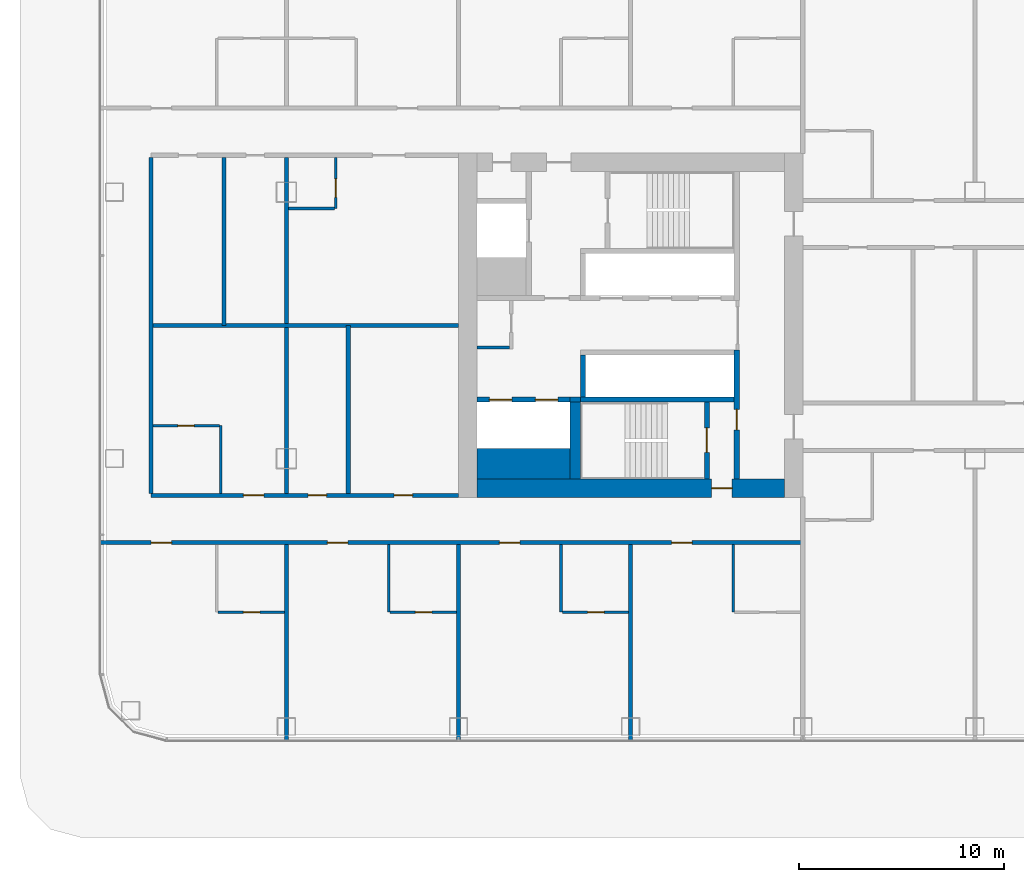
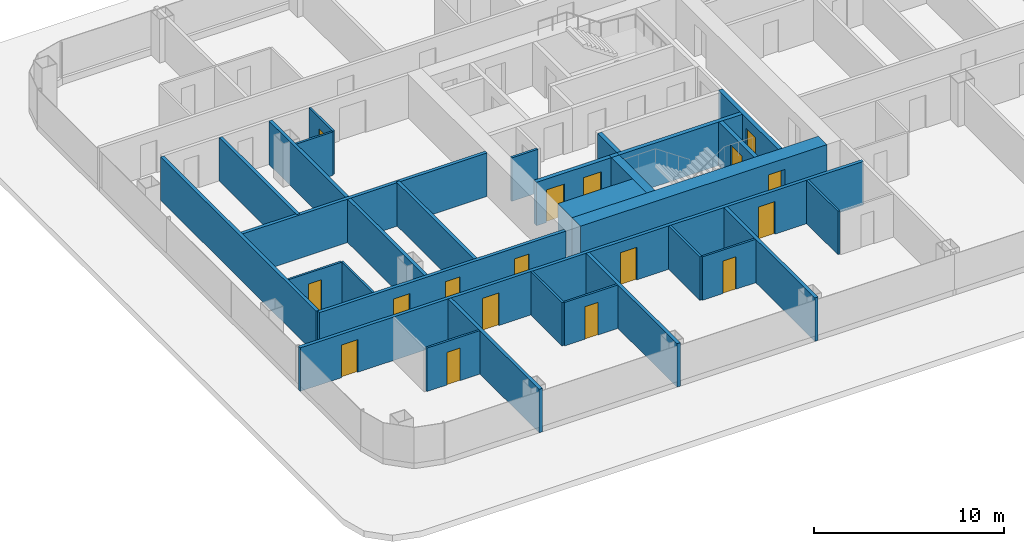
# One storey, part 21 of 42: 30 walls, 17 doors, 17 openings.
"""IFC4 building model written with IfcOpenShell, lengths in metres."""

from ifc_helpers import new_model, si_unit, direction, frame, frame_2d, origin, place, context, subcontext, project, spatial, rectangle, extrude, material, layer, layer_set, type_object, element, fill, save


model = new_model("IFC4")

# Units and contexts
model_context = context("Model", 3, precision=1e-05, world=origin(), true_north=direction((0.0, 1.0)))
body_context = subcontext(model_context, "Body", "Model", "MODEL_VIEW")
ifc_project = project(units=[si_unit("LENGTHUNIT", "METRE"), si_unit("AREAUNIT", "SQUARE_METRE"), si_unit("VOLUMEUNIT", "CUBIC_METRE"), si_unit("PLANEANGLEUNIT", "RADIAN"), si_unit("MASSUNIT", "GRAM", prefix="KILO")], contexts=[model_context])

# Site, building, storey
site_placement = place(None, origin())
site = spatial("IfcSite", under=ifc_project, at=site_placement, CompositionType="ELEMENT")
building_placement = place(site_placement, origin())
building = spatial("IfcBuilding", under=site, at=building_placement, Name="Hakoniwa Tower and Hamabe Station Hall", CompositionType="ELEMENT")
storey_placement = place(building_placement, frame((0.0, 0.0, 19.800048828125)))
storey = spatial("IfcBuildingStorey", under=building, at=storey_placement, Name="L04", CompositionType="ELEMENT", Elevation=19.800048828125)

# Wall, opening, door
ifc_material_1 = material(Name="Gypsum board partition", Category="gypsum")
ifc_layer_1 = layer(ifc_material_1, 0.125)
ifc_layer_set_1 = layer_set([ifc_layer_1], Name="Bathroom Partition 125")
wall_type_1 = type_object("IfcWallType", Name="Bathroom Partition 125", PredefinedType="PARTITIONING", material=ifc_layer_set_1)
wall_1_placement = place(storey_placement, frame((-45.33740234375, -14.0, 0.0), z_axis=(0.0, 0.0, 1.0), x_axis=(1.0, 0.0, 0.0)))
wall_1 = element("IfcWall", 1, at=wall_1_placement, inside=storey, type_object=wall_type_1, Name="GW-L04-001", PredefinedType="PARTITIONING", context=body_context, shape_type="SweptSolid", body=[
    extrude(rectangle(XDim=3.2373046875, YDim=0.125, at=frame_2d((1.61865234375, 0.0))), origin(), (0.0, 0.0, 1.0), 2.800048828125),
])
opening_1_placement = place(wall_1_placement, frame((1.237548828125, 0.0, 0.0)))
opening_1 = element("IfcOpeningElement", 2, at=opening_1_placement, cuts=wall_1, Name="Opening GD-G1A0-01", PredefinedType="OPENING", context=body_context, shape_type="SweptSolid", body=[
    extrude(rectangle(XDim=0.800048828125, YDim=2.10009765625, at=frame_2d((0.39990234375, 1.050048828125))), frame((0.0, 0.072509765625, 0.0), z_axis=(0.0, -1.0, 0.0), x_axis=(1.0, 0.0, 0.0)), (0.0, 0.0, 1.0), 0.14501953125),
])
ifc_material_2 = material(Name="Timber door leaf", Category="wood")
door_type_1 = type_object("IfcDoorType", Name="Bathroom Door 800", OperationType="SINGLE_SWING_LEFT", PredefinedType="DOOR", material=ifc_material_2)
door_1_placement = place(opening_1_placement, origin())
door_1 = element("IfcDoor", 3, at=door_1_placement, inside=storey, type_object=door_type_1, Name="Door GD-G1A0-01", OperationType="SINGLE_SWING_LEFT", OverallHeight=2.10009765625, OverallWidth=0.800048828125, PredefinedType="DOOR", context=body_context, shape_type="SweptSolid", body=[
    extrude(rectangle(XDim=0.800048828125, YDim=2.10009765625, at=frame_2d((0.39990234375, 1.050048828125))), frame((0.0, 0.02490234375, 0.0), z_axis=(0.0, -1.0, 0.0), x_axis=(1.0, 0.0, 0.0)), (0.0, 0.0, 1.0), 0.050048828125),
])
fill(opening_1, door_1)

wall_2_placement = place(storey_placement, frame((-36.9375, -14.0, 0.0), z_axis=(0.0, 0.0, 1.0), x_axis=(1.0, 0.0, 0.0)))
wall_2 = element("IfcWall", 4, at=wall_2_placement, inside=storey, type_object=wall_type_1, Name="GW-L04-002", PredefinedType="PARTITIONING", context=body_context, shape_type="SweptSolid", body=[
    extrude(rectangle(XDim=3.237548828125, YDim=0.125, at=frame_2d((1.61865234375, 0.0))), origin(), (0.0, 0.0, 1.0), 2.800048828125),
])
opening_2_placement = place(wall_2_placement, frame((1.237548828125, 0.0, 0.0)))
opening_2 = element("IfcOpeningElement", 5, at=opening_2_placement, cuts=wall_2, Name="Opening GD-G1A0-02", PredefinedType="OPENING", context=body_context, shape_type="SweptSolid", body=[
    extrude(rectangle(XDim=0.800048828125, YDim=2.10009765625, at=frame_2d((0.39990234375, 1.050048828125))), frame((0.0, 0.072509765625, 0.0), z_axis=(0.0, -1.0, 0.0), x_axis=(1.0, 0.0, 0.0)), (0.0, 0.0, 1.0), 0.14501953125),
])
door_2_placement = place(opening_2_placement, origin())
door_2 = element("IfcDoor", 6, at=door_2_placement, inside=storey, type_object=door_type_1, Name="Door GD-G1A0-02", OperationType="SINGLE_SWING_RIGHT", OverallHeight=2.10009765625, OverallWidth=0.800048828125, PredefinedType="DOOR", context=body_context, shape_type="SweptSolid", body=[
    extrude(rectangle(XDim=0.800048828125, YDim=2.10009765625, at=frame_2d((0.39990234375, 1.050048828125))), frame((0.0, 0.02490234375, 0.0), z_axis=(0.0, -1.0, 0.0), x_axis=(1.0, 0.0, 0.0)), (0.0, 0.0, 1.0), 0.050048828125),
])
fill(opening_2, door_2)

wall_3_placement = place(storey_placement, frame((-28.53759765625, -14.0, 0.0), z_axis=(0.0, 0.0, 1.0), x_axis=(1.0, 0.0, 0.0)))
wall_3 = element("IfcWall", 7, at=wall_3_placement, inside=storey, type_object=wall_type_1, Name="GW-L04-003", PredefinedType="PARTITIONING", context=body_context, shape_type="SweptSolid", body=[
    extrude(rectangle(XDim=3.237548828125, YDim=0.125, at=frame_2d((1.61865234375, 0.0))), origin(), (0.0, 0.0, 1.0), 2.800048828125),
])
opening_3_placement = place(wall_3_placement, frame((1.237548828125, 0.0, 0.0)))
opening_3 = element("IfcOpeningElement", 8, at=opening_3_placement, cuts=wall_3, Name="Opening GD-G1A0-03", PredefinedType="OPENING", context=body_context, shape_type="SweptSolid", body=[
    extrude(rectangle(XDim=0.800048828125, YDim=2.10009765625, at=frame_2d((0.39990234375, 1.050048828125))), frame((0.0, 0.072509765625, 0.0), z_axis=(0.0, -1.0, 0.0), x_axis=(1.0, 0.0, 0.0)), (0.0, 0.0, 1.0), 0.14501953125),
])
door_3_placement = place(opening_3_placement, origin())
door_3 = element("IfcDoor", 9, at=door_3_placement, inside=storey, type_object=door_type_1, Name="Door GD-G1A0-03", OperationType="SINGLE_SWING_LEFT", OverallHeight=2.10009765625, OverallWidth=0.800048828125, PredefinedType="DOOR", context=body_context, shape_type="SweptSolid", body=[
    extrude(rectangle(XDim=0.800048828125, YDim=2.10009765625, at=frame_2d((0.39990234375, 1.050048828125))), frame((0.0, 0.02490234375, 0.0), z_axis=(0.0, -1.0, 0.0), x_axis=(1.0, 0.0, 0.0)), (0.0, 0.0, 1.0), 0.050048828125),
])
fill(opening_3, door_3)

wall_4_placement = place(storey_placement, frame((-48.5, -4.89990234375, 0.0), z_axis=(0.0, 0.0, 1.0), x_axis=(1.0, 0.0, 0.0)))
wall_4 = element("IfcWall", 10, at=wall_4_placement, inside=storey, type_object=wall_type_1, Name="GW-L04-016", PredefinedType="PARTITIONING", context=body_context, shape_type="SweptSolid", body=[
    extrude(rectangle(XDim=3.237548828125, YDim=0.125, at=frame_2d((1.61865234375, 0.0))), origin(), (0.0, 0.0, 1.0), 2.800048828125),
])
opening_4_placement = place(wall_4_placement, frame((1.199951171875, 0.0, 0.0)))
opening_4 = element("IfcOpeningElement", 11, at=opening_4_placement, cuts=wall_4, Name="Opening GD-G1A0-30", PredefinedType="OPENING", context=body_context, shape_type="SweptSolid", body=[
    extrude(rectangle(XDim=0.800048828125, YDim=2.10009765625, at=frame_2d((0.39990234375, 1.050048828125))), frame((0.0, 0.072509765625, 0.0), z_axis=(0.0, -1.0, 0.0), x_axis=(1.0, 0.0, 0.0)), (0.0, 0.0, 1.0), 0.14501953125),
])
door_4_placement = place(opening_4_placement, origin())
door_4 = element("IfcDoor", 12, at=door_4_placement, inside=storey, type_object=door_type_1, Name="Door GD-G1A0-30", OperationType="SINGLE_SWING_RIGHT", OverallHeight=2.10009765625, OverallWidth=0.800048828125, PredefinedType="DOOR", context=body_context, shape_type="SweptSolid", body=[
    extrude(rectangle(XDim=0.800048828125, YDim=2.10009765625, at=frame_2d((0.39990234375, 1.050048828125))), frame((0.0, 0.02490234375, 0.0), z_axis=(0.0, -1.0, 0.0), x_axis=(1.0, 0.0, 0.0)), (0.0, 0.0, 1.0), 0.050048828125),
])
fill(opening_4, door_4)

# Walls
for number, where, z_axis, x_axis, name in (
    (13, (-45.199951171875, -8.199951171875, 0.0), (0.0, 0.0, 1.0), (0.0, 1.0, 0.0), "GW-L04-039"),
    (14, (-37.0, -14.0, 0.0), (0.0, 0.0, 1.0), (0.0, 1.0, 0.0), "GW-L04-047"),
    (15, (-28.60009765625, -14.0, 0.0), (0.0, 0.0, 1.0), (0.0, 1.0, 0.0), "GW-L04-050"),
    (16, (-20.199951171875, -14.0, 0.0), (0.0, 0.0, 1.0), (0.0, 1.0, 0.0), "GW-L04-054"),
):
    element("IfcWall", number, at=place(storey_placement, frame(where, z_axis=z_axis, x_axis=x_axis)), inside=storey, type_object=wall_type_1, Name=name, PredefinedType="PARTITIONING", context=body_context, shape_type="SweptSolid", body=[
        extrude(rectangle(XDim=3.300048828125, YDim=0.125, at=frame_2d((1.64990234375, 0.0))), origin(), (0.0, 0.0, 1.0), 2.800048828125),
    ])
ifc_material_3 = material(Name="Gypsum board partition")
ifc_layer_2 = layer(ifc_material_3, 0.14990234375)
ifc_layer_set_2 = layer_set([ifc_layer_2], Name="CORE PARTITION 150 EI 60")
wall_type_2 = type_object("IfcWallType", Name="CORE PARTITION 150 EI 60", PredefinedType="PARTITIONING", material=ifc_layer_set_2)
wall_5_placement = place(storey_placement, frame((-32.699951171875, -1.074951171875, 0.0), z_axis=(0.0, 0.0, 1.0), x_axis=(1.0, 0.0, 0.0)))
element("IfcWall", 17, at=wall_5_placement, inside=storey, type_object=wall_type_2, Name="Core partition PS west", PredefinedType="PARTITIONING", context=body_context, shape_type="SweptSolid", body=[
    extrude(rectangle(XDim=1.599853515625, YDim=0.14990234375, at=frame_2d((0.7998046875, 0.0))), origin(), (0.0, 0.0, 1.0), 2.800048828125),
])

# Wall, opening, door
ifc_material_4 = material(Name="Concrete C80", Category="concrete")
ifc_layer_3 = layer(ifc_material_4, 0.89990234375)
ifc_layer_set_3 = layer_set([ifc_layer_3], Name="CORE WALL 900 C80")
wall_type_3 = type_object("IfcWallType", Name="CORE WALL 900 C80", PredefinedType="SHEAR", material=ifc_layer_set_3)
wall_6_placement = place(storey_placement, frame((-32.699951171875, -7.949951171875, 0.0), z_axis=(0.0, 0.0, 1.0), x_axis=(1.0, 0.0, 0.0)))
wall_6 = element("IfcWall", 18, at=wall_6_placement, inside=storey, type_object=wall_type_3, Name="Core wall SOUTH west", PredefinedType="SHEAR", context=body_context, shape_type="SweptSolid", body=[
    extrude(rectangle(XDim=15.0, YDim=0.89990234375, at=frame_2d((7.5, 0.0))), origin(), (0.0, 0.0, 1.0), 2.800048828125),
])
opening_5_placement = place(wall_6_placement, frame((11.449951171875, 0.0, 0.0)))
opening_5 = element("IfcOpeningElement", 19, at=opening_5_placement, cuts=wall_6, Name="Opening CD-W-FS3-10", PredefinedType="OPENING", context=body_context, shape_type="SweptSolid", body=[
    extrude(rectangle(XDim=1.0, YDim=2.10009765625, at=frame_2d((0.5, 1.050048828125))), frame((0.0, 0.4599609375, 0.0), z_axis=(0.0, -1.0, 0.0), x_axis=(1.0, 0.0, 0.0)), (0.0, 0.0, 1.0), 0.919921875),
])
ifc_material_5 = material(Name="Steel fire door", Category="steel")
door_type_2 = type_object("IfcDoorType", Name="CORE DOOR 1000 FD60", OperationType="NOTDEFINED", PredefinedType="DOOR", material=ifc_material_5)
door_5_placement = place(opening_5_placement, origin())
door_5 = element("IfcDoor", 20, at=door_5_placement, inside=storey, type_object=door_type_2, Name="Stair vestibule door", OperationType="SINGLE_SWING_LEFT", OverallHeight=2.10009765625, OverallWidth=1.0, PredefinedType="DOOR", context=body_context, shape_type="SweptSolid", body=[
    extrude(rectangle(XDim=1.0, YDim=2.10009765625, at=frame_2d((0.5, 1.050048828125))), frame((0.0, 0.02490234375, 0.0), z_axis=(0.0, -1.0, 0.0), x_axis=(1.0, 0.0, 0.0)), (0.0, 0.0, 1.0), 0.050048828125),
])
fill(opening_5, door_5)

# Wall
ifc_material_6 = material(Name="Concrete C80", Category="concrete")
ifc_layer_4 = layer(ifc_material_6, 1.5)
ifc_layer_set_4 = layer_set([ifc_layer_4], Name="CORE WEB WALL 1500 C80")
wall_type_4 = type_object("IfcWallType", Name="CORE WEB WALL 1500 C80", PredefinedType="SHEAR", material=ifc_layer_set_4)
wall_7_placement = place(storey_placement, frame((-32.699951171875, -6.75, 0.0), z_axis=(0.0, 0.0, 1.0), x_axis=(1.0, 0.0, 0.0)))
element("IfcWall", 21, at=wall_7_placement, inside=storey, type_object=wall_type_4, Name="Core wall SER west", PredefinedType="SHEAR", context=body_context, shape_type="SweptSolid", body=[
    extrude(rectangle(XDim=4.550048828125, YDim=1.5, at=frame_2d((2.27490234375, 0.0))), origin(), (0.0, 0.0, 1.0), 2.800048828125),
])

# Wall, opening, door
ifc_material_7 = material(Name="Concrete C80", Category="concrete")
ifc_layer_5 = layer(ifc_material_7, 0.25)
ifc_layer_set_5 = layer_set([ifc_layer_5], Name="CORE WEB WALL 250 C80")
wall_type_5 = type_object("IfcWallType", Name="CORE WEB WALL 250 C80", PredefinedType="SHEAR", material=ifc_layer_set_5)
wall_8_placement = place(storey_placement, frame((-20.02490234375, -7.5, 0.0), z_axis=(0.0, 0.0, 1.0), x_axis=(0.0, 1.0, 0.0)))
wall_8 = element("IfcWall", 22, at=wall_8_placement, inside=storey, type_object=wall_type_5, Name="Core wall W1S west", PredefinedType="SHEAR", context=body_context, shape_type="SweptSolid", body=[
    extrude(rectangle(XDim=6.300048828125, YDim=0.25, at=frame_2d((3.14990234375, 0.0))), origin(), (0.0, 0.0, 1.0), 2.800048828125),
])
opening_6_placement = place(wall_8_placement, frame((2.39990234375, 0.0, 0.0)))
opening_6 = element("IfcOpeningElement", 23, at=opening_6_placement, cuts=wall_8, Name="Opening CD-W-VS-10", PredefinedType="OPENING", context=body_context, shape_type="SweptSolid", body=[
    extrude(rectangle(XDim=1.0, YDim=2.10009765625, at=frame_2d((0.5, 1.050048828125))), frame((0.0, 0.135009765625, 0.0), z_axis=(0.0, -1.0, 0.0), x_axis=(1.0, 0.0, 0.0)), (0.0, 0.0, 1.0), 0.27001953125),
])
door_6_placement = place(opening_6_placement, origin())
door_6 = element("IfcDoor", 24, at=door_6_placement, inside=storey, type_object=door_type_2, Name="Stair vestibule door", OperationType="SINGLE_SWING_LEFT", OverallHeight=2.10009765625, OverallWidth=1.0, PredefinedType="DOOR", context=body_context, shape_type="SweptSolid", body=[
    extrude(rectangle(XDim=1.0, YDim=2.10009765625, at=frame_2d((0.5, 1.050048828125))), frame((0.0, 0.02490234375, 0.0), z_axis=(0.0, -1.0, 0.0), x_axis=(1.0, 0.0, 0.0)), (0.0, 0.0, 1.0), 0.050048828125),
])
fill(opening_6, door_6)

# Walls
wall_9_placement = place(storey_placement, frame((-27.52490234375, -3.5, 0.0), z_axis=(0.0, 0.0, 1.0), x_axis=(0.0, 1.0, 0.0)))
element("IfcWall", 25, at=wall_9_placement, inside=storey, type_object=wall_type_5, Name="Core wall SE west", PredefinedType="SHEAR", context=body_context, shape_type="SweptSolid", body=[
    extrude(rectangle(XDim=2.050048828125, YDim=0.25, at=frame_2d((1.02490234375, 0.0))), origin(), (0.0, 0.0, 1.0), 2.800048828125),
])
wall_10_placement = place(storey_placement, frame((-27.64990234375, -3.625, 0.0), z_axis=(0.0, 0.0, 1.0), x_axis=(1.0, 0.0, 0.0)))
element("IfcWall", 26, at=wall_10_placement, inside=storey, type_object=wall_type_5, Name="Core wall SR west", PredefinedType="SHEAR", context=body_context, shape_type="SweptSolid", body=[
    extrude(rectangle(XDim=7.5, YDim=0.25, at=frame_2d((3.75, 0.0))), origin(), (0.0, 0.0, 1.0), 2.800048828125),
])

# Wall, opening, door
wall_11_placement = place(storey_placement, frame((-21.47509765625, -7.5, 0.0), z_axis=(0.0, 0.0, 1.0), x_axis=(0.0, 1.0, 0.0)))
wall_11 = element("IfcWall", 27, at=wall_11_placement, inside=storey, type_object=wall_type_5, Name="Core wall VE west", PredefinedType="SHEAR", context=body_context, shape_type="SweptSolid", body=[
    extrude(rectangle(XDim=3.75, YDim=0.25, at=frame_2d((1.875, 0.0))), origin(), (0.0, 0.0, 1.0), 2.800048828125),
])
opening_7_placement = place(wall_11_placement, frame((1.300048828125, 0.0, 0.0)))
opening_7 = element("IfcOpeningElement", 28, at=opening_7_placement, cuts=wall_11, Name="Opening CD-W-SS-12", PredefinedType="OPENING", context=body_context, shape_type="SweptSolid", body=[
    extrude(rectangle(XDim=1.199951171875, YDim=2.10009765625, at=frame_2d((0.60009765625, 1.050048828125))), frame((0.0, 0.135009765625, 0.0), z_axis=(0.0, -1.0, 0.0), x_axis=(1.0, 0.0, 0.0)), (0.0, 0.0, 1.0), 0.27001953125),
])
ifc_material_8 = material(Name="Steel fire door", Category="steel")
door_type_3 = type_object("IfcDoorType", Name="CORE DOOR 1200 FD60", OperationType="DOUBLE_DOOR_SINGLE_SWING", PredefinedType="DOOR", material=ifc_material_8)
door_7_placement = place(opening_7_placement, origin())
door_7 = element("IfcDoor", 29, at=door_7_placement, inside=storey, type_object=door_type_3, Name="Escape stair door", OperationType="DOUBLE_DOOR_SINGLE_SWING", OverallHeight=2.10009765625, OverallWidth=1.199951171875, PredefinedType="DOOR", context=body_context, shape_type="SweptSolid", body=[
    extrude(rectangle(XDim=1.199951171875, YDim=2.10009765625, at=frame_2d((0.60009765625, 1.050048828125))), frame((0.0, 0.02490234375, 0.0), z_axis=(0.0, -1.0, 0.0), x_axis=(1.0, 0.0, 0.0)), (0.0, 0.0, 1.0), 0.050048828125),
])
fill(opening_7, door_7)

# Wall, openings, doors
wall_12_placement = place(storey_placement, frame((-32.699951171875, -3.625, 0.0), z_axis=(0.0, 0.0, 1.0), x_axis=(1.0, 0.0, 0.0)))
wall_12 = element("IfcWall", 30, at=wall_12_placement, inside=storey, type_object=wall_type_5, Name="Core wall SEF west", PredefinedType="SHEAR", context=body_context, shape_type="SweptSolid", body=[
    extrude(rectangle(XDim=4.550048828125, YDim=0.25, at=frame_2d((2.27490234375, 0.0))), origin(), (0.0, 0.0, 1.0), 2.800048828125),
])
opening_8_placement = place(wall_12_placement, frame((2.85009765625, 0.0, 0.0)))
opening_8 = element("IfcOpeningElement", 31, at=opening_8_placement, cuts=wall_12, Name="Opening LD-SV1", PredefinedType="OPENING", context=body_context, shape_type="SweptSolid", body=[
    extrude(rectangle(XDim=1.10009765625, YDim=2.10009765625, at=frame_2d((0.550048828125, 1.050048828125))), frame((0.0, 0.135009765625, 0.0), z_axis=(0.0, -1.0, 0.0), x_axis=(1.0, 0.0, 0.0)), (0.0, 0.0, 1.0), 0.27001953125),
])
opening_9_placement = place(wall_12_placement, frame((0.60009765625, 0.0, 0.0)))
opening_9 = element("IfcOpeningElement", 32, at=opening_9_placement, cuts=wall_12, Name="Opening LD-SV2", PredefinedType="OPENING", context=body_context, shape_type="SweptSolid", body=[
    extrude(rectangle(XDim=1.10009765625, YDim=2.10009765625, at=frame_2d((0.550048828125, 1.050048828125))), frame((0.0, 0.135009765625, 0.0), z_axis=(0.0, -1.0, 0.0), x_axis=(1.0, 0.0, 0.0)), (0.0, 0.0, 1.0), 0.27001953125),
])
ifc_material_9 = material(Name="Stainless steel SUS304", Category="steel")
door_type_4 = type_object("IfcDoorType", Name="LIFT LANDING DOOR 1100 FD60", OperationType="DOUBLE_DOOR_SLIDING", PredefinedType="DOOR", material=ifc_material_9)
door_8_placement = place(opening_8_placement, origin())
door_8 = element("IfcDoor", 33, at=door_8_placement, inside=storey, type_object=door_type_4, Name="Lift landing door SV1 L04", OperationType="DOUBLE_DOOR_SLIDING", OverallHeight=2.10009765625, OverallWidth=1.10009765625, PredefinedType="DOOR", context=body_context, shape_type="SweptSolid", body=[
    extrude(rectangle(XDim=1.10009765625, YDim=2.10009765625, at=frame_2d((0.550048828125, 1.050048828125))), frame((0.0, 0.02490234375, 0.0), z_axis=(0.0, -1.0, 0.0), x_axis=(1.0, 0.0, 0.0)), (0.0, 0.0, 1.0), 0.050048828125),
])
fill(opening_8, door_8)
door_9_placement = place(opening_9_placement, origin())
door_9 = element("IfcDoor", 34, at=door_9_placement, inside=storey, type_object=door_type_4, Name="Lift landing door SV2 L04", OperationType="DOUBLE_DOOR_SLIDING", OverallHeight=2.10009765625, OverallWidth=1.10009765625, PredefinedType="DOOR", context=body_context, shape_type="SweptSolid", body=[
    extrude(rectangle(XDim=1.10009765625, YDim=2.10009765625, at=frame_2d((0.550048828125, 1.050048828125))), frame((0.0, 0.02490234375, 0.0), z_axis=(0.0, -1.0, 0.0), x_axis=(1.0, 0.0, 0.0)), (0.0, 0.0, 1.0), 0.050048828125),
])
fill(opening_9, door_9)

# Walls
wall_13_placement = place(storey_placement, frame((-28.14990234375, -3.625, 0.0), z_axis=(0.0, 0.0, 1.0), x_axis=(1.0, 0.0, 0.0)))
element("IfcWall", 35, at=wall_13_placement, inside=storey, type_object=wall_type_5, Name="Core wall SRK west", PredefinedType="SHEAR", context=body_context, shape_type="SweptSolid", body=[
    extrude(rectangle(XDim=0.5, YDim=0.25, at=frame_2d((0.25, 0.0))), origin(), (0.0, 0.0, 1.0), 2.800048828125),
])
ifc_material_10 = material(Name="Concrete C80", Category="concrete")
ifc_layer_6 = layer(ifc_material_10, 0.5)
ifc_layer_set_6 = layer_set([ifc_layer_6], Name="CORE WEB WALL 500 C80")
wall_type_6 = type_object("IfcWallType", Name="CORE WEB WALL 500 C80", PredefinedType="SHEAR", material=ifc_layer_set_6)
wall_14_placement = place(storey_placement, frame((-27.89990234375, -7.5, 0.0), z_axis=(0.0, 0.0, 1.0), x_axis=(0.0, 1.0, 0.0)))
element("IfcWall", 36, at=wall_14_placement, inside=storey, type_object=wall_type_6, Name="Core wall SSE west", PredefinedType="SHEAR", context=body_context, shape_type="SweptSolid", body=[
    extrude(rectangle(XDim=3.75, YDim=0.5, at=frame_2d((1.875, 0.0))), origin(), (0.0, 0.0, 1.0), 2.800048828125),
])

# Wall, openings, doors
ifc_material_11 = material(Name="Fire-rated gypsum board partition", Category="gypsum")
ifc_layer_7 = layer(ifc_material_11, 0.199951171875)
ifc_layer_set_7 = layer_set([ifc_layer_7], Name="Corridor Wall 200")
wall_type_7 = type_object("IfcWallType", Name="Corridor Wall 200", PredefinedType="PARTITIONING", material=ifc_layer_set_7)
wall_15_placement = place(storey_placement, frame((-51.10009765625, -10.60009765625, 0.0), z_axis=(0.0, 0.0, 1.0), x_axis=(1.0, 0.0, 0.0)))
wall_15 = element("IfcWall", 37, at=wall_15_placement, inside=storey, type_object=wall_type_7, Name="GW-L04-008", PredefinedType="PARTITIONING", context=body_context, shape_type="SweptSolid", body=[
    extrude(rectangle(XDim=34.300048828125, YDim=0.199951171875, at=frame_2d((17.14990234375, 0.0))), origin(), (0.0, 0.0, 1.0), 2.800048828125),
])
opening_10_placement = place(wall_15_placement, frame((2.5, 0.0, 0.0)))
opening_10 = element("IfcOpeningElement", 38, at=opening_10_placement, cuts=wall_15, Name="Opening GD-G1A0-09", PredefinedType="OPENING", context=body_context, shape_type="SweptSolid", body=[
    extrude(rectangle(XDim=1.0, YDim=2.10009765625, at=frame_2d((0.5, 1.050048828125))), frame((0.0, 0.10986328125, 0.0), z_axis=(0.0, -1.0, 0.0), x_axis=(1.0, 0.0, 0.0)), (0.0, 0.0, 1.0), 0.219970703125),
])
opening_11_placement = place(wall_15_placement, frame((11.10009765625, 0.0, 0.0)))
opening_11 = element("IfcOpeningElement", 39, at=opening_11_placement, cuts=wall_15, Name="Opening GD-G1A0-10", PredefinedType="OPENING", context=body_context, shape_type="SweptSolid", body=[
    extrude(rectangle(XDim=1.0, YDim=2.10009765625, at=frame_2d((0.5, 1.050048828125))), frame((0.0, 0.10986328125, 0.0), z_axis=(0.0, -1.0, 0.0), x_axis=(1.0, 0.0, 0.0)), (0.0, 0.0, 1.0), 0.219970703125),
])
opening_12_placement = place(wall_15_placement, frame((19.5, 0.0, 0.0)))
opening_12 = element("IfcOpeningElement", 40, at=opening_12_placement, cuts=wall_15, Name="Opening GD-G1A0-11", PredefinedType="OPENING", context=body_context, shape_type="SweptSolid", body=[
    extrude(rectangle(XDim=1.0, YDim=2.10009765625, at=frame_2d((0.5, 1.050048828125))), frame((0.0, 0.10986328125, 0.0), z_axis=(0.0, -1.0, 0.0), x_axis=(1.0, 0.0, 0.0)), (0.0, 0.0, 1.0), 0.219970703125),
])
opening_13_placement = place(wall_15_placement, frame((27.89990234375, 0.0, 0.0)))
opening_13 = element("IfcOpeningElement", 41, at=opening_13_placement, cuts=wall_15, Name="Opening GD-G1A0-12", PredefinedType="OPENING", context=body_context, shape_type="SweptSolid", body=[
    extrude(rectangle(XDim=1.0, YDim=2.10009765625, at=frame_2d((0.5, 1.050048828125))), frame((0.0, 0.10986328125, 0.0), z_axis=(0.0, -1.0, 0.0), x_axis=(1.0, 0.0, 0.0)), (0.0, 0.0, 1.0), 0.219970703125),
])
ifc_material_12 = material(Name="Timber door leaf", Category="wood")
door_type_5 = type_object("IfcDoorType", Name="Guest Entrance Door 1000", OperationType="SINGLE_SWING_LEFT", PredefinedType="DOOR", material=ifc_material_12)
door_10_placement = place(opening_10_placement, origin())
door_10 = element("IfcDoor", 42, at=door_10_placement, inside=storey, type_object=door_type_5, Name="Door GD-G1A0-09", OperationType="SINGLE_SWING_RIGHT", OverallHeight=2.10009765625, OverallWidth=1.0, PredefinedType="DOOR", context=body_context, shape_type="SweptSolid", body=[
    extrude(rectangle(XDim=1.0, YDim=2.10009765625, at=frame_2d((0.5, 1.050048828125))), frame((0.0, 0.02490234375, 0.0), z_axis=(0.0, -1.0, 0.0), x_axis=(1.0, 0.0, 0.0)), (0.0, 0.0, 1.0), 0.050048828125),
])
fill(opening_10, door_10)
door_11_placement = place(opening_11_placement, origin())
door_11 = element("IfcDoor", 43, at=door_11_placement, inside=storey, type_object=door_type_5, Name="Door GD-G1A0-10", OperationType="SINGLE_SWING_RIGHT", OverallHeight=2.10009765625, OverallWidth=1.0, PredefinedType="DOOR", context=body_context, shape_type="SweptSolid", body=[
    extrude(rectangle(XDim=1.0, YDim=2.10009765625, at=frame_2d((0.5, 1.050048828125))), frame((0.0, 0.02490234375, 0.0), z_axis=(0.0, -1.0, 0.0), x_axis=(1.0, 0.0, 0.0)), (0.0, 0.0, 1.0), 0.050048828125),
])
fill(opening_11, door_11)
door_12_placement = place(opening_12_placement, origin())
door_12 = element("IfcDoor", 44, at=door_12_placement, inside=storey, type_object=door_type_5, Name="Door GD-G1A0-11", OperationType="SINGLE_SWING_LEFT", OverallHeight=2.10009765625, OverallWidth=1.0, PredefinedType="DOOR", context=body_context, shape_type="SweptSolid", body=[
    extrude(rectangle(XDim=1.0, YDim=2.10009765625, at=frame_2d((0.5, 1.050048828125))), frame((0.0, 0.02490234375, 0.0), z_axis=(0.0, -1.0, 0.0), x_axis=(1.0, 0.0, 0.0)), (0.0, 0.0, 1.0), 0.050048828125),
])
fill(opening_12, door_12)
door_13_placement = place(opening_13_placement, origin())
door_13 = element("IfcDoor", 45, at=door_13_placement, inside=storey, type_object=door_type_5, Name="Door GD-G1A0-12", OperationType="SINGLE_SWING_RIGHT", OverallHeight=2.10009765625, OverallWidth=1.0, PredefinedType="DOOR", context=body_context, shape_type="SweptSolid", body=[
    extrude(rectangle(XDim=1.0, YDim=2.10009765625, at=frame_2d((0.5, 1.050048828125))), frame((0.0, 0.02490234375, 0.0), z_axis=(0.0, -1.0, 0.0), x_axis=(1.0, 0.0, 0.0)), (0.0, 0.0, 1.0), 0.050048828125),
])
fill(opening_13, door_13)

wall_16_placement = place(storey_placement, frame((-48.60009765625, -8.300048828125, 0.0), z_axis=(0.0, 0.0, 1.0), x_axis=(1.0, 0.0, 0.0)))
wall_16 = element("IfcWall", 46, at=wall_16_placement, inside=storey, type_object=wall_type_7, Name="GW-L04-012", PredefinedType="PARTITIONING", context=body_context, shape_type="SweptSolid", body=[
    extrude(rectangle(XDim=15.0, YDim=0.199951171875, at=frame_2d((7.5, 0.0))), origin(), (0.0, 0.0, 1.0), 2.800048828125),
])
opening_14_placement = place(wall_16_placement, frame((4.5, 0.0, 0.0)))
opening_14 = element("IfcOpeningElement", 47, at=opening_14_placement, cuts=wall_16, Name="Opening GD-G1A0-20", PredefinedType="OPENING", context=body_context, shape_type="SweptSolid", body=[
    extrude(rectangle(XDim=1.0, YDim=2.10009765625, at=frame_2d((0.5, 1.050048828125))), frame((0.0, 0.10986328125, 0.0), z_axis=(0.0, -1.0, 0.0), x_axis=(1.0, 0.0, 0.0)), (0.0, 0.0, 1.0), 0.219970703125),
])
opening_15_placement = place(wall_16_placement, frame((7.659912109375, 0.0, 0.0)))
opening_15 = element("IfcOpeningElement", 48, at=opening_15_placement, cuts=wall_16, Name="Opening GD-G1A0-21", PredefinedType="OPENING", context=body_context, shape_type="SweptSolid", body=[
    extrude(rectangle(XDim=0.89990234375, YDim=2.10009765625, at=frame_2d((0.449951171875, 1.050048828125))), frame((0.0, 0.10986328125, 0.0), z_axis=(0.0, -1.0, 0.0), x_axis=(1.0, 0.0, 0.0)), (0.0, 0.0, 1.0), 0.219970703125),
])
opening_16_placement = place(wall_16_placement, frame((11.860107421875, 0.0, 0.0)))
opening_16 = element("IfcOpeningElement", 49, at=opening_16_placement, cuts=wall_16, Name="Opening GD-G1A0-22", PredefinedType="OPENING", context=body_context, shape_type="SweptSolid", body=[
    extrude(rectangle(XDim=0.89990234375, YDim=2.10009765625, at=frame_2d((0.449951171875, 1.050048828125))), frame((0.0, 0.10986328125, 0.0), z_axis=(0.0, -1.0, 0.0), x_axis=(1.0, 0.0, 0.0)), (0.0, 0.0, 1.0), 0.219970703125),
])
door_14_placement = place(opening_14_placement, origin())
door_14 = element("IfcDoor", 50, at=door_14_placement, inside=storey, type_object=door_type_5, Name="Door GD-G1A0-20", OperationType="SINGLE_SWING_RIGHT", OverallHeight=2.10009765625, OverallWidth=1.0, PredefinedType="DOOR", context=body_context, shape_type="SweptSolid", body=[
    extrude(rectangle(XDim=1.0, YDim=2.10009765625, at=frame_2d((0.5, 1.050048828125))), frame((0.0, 0.02490234375, 0.0), z_axis=(0.0, -1.0, 0.0), x_axis=(1.0, 0.0, 0.0)), (0.0, 0.0, 1.0), 0.050048828125),
])
fill(opening_14, door_14)
ifc_material_13 = material(Name="Timber door leaf", Category="wood")
door_type_6 = type_object("IfcDoorType", Name="Service Door 900", OperationType="SINGLE_SWING_LEFT", PredefinedType="DOOR", material=ifc_material_13)
door_15_placement = place(opening_15_placement, origin())
door_15 = element("IfcDoor", 51, at=door_15_placement, inside=storey, type_object=door_type_6, Name="Door GD-G1A0-21", OperationType="SINGLE_SWING_LEFT", OverallHeight=2.10009765625, OverallWidth=0.89990234375, PredefinedType="DOOR", context=body_context, shape_type="SweptSolid", body=[
    extrude(rectangle(XDim=0.89990234375, YDim=2.10009765625, at=frame_2d((0.449951171875, 1.050048828125))), frame((0.0, 0.02490234375, 0.0), z_axis=(0.0, -1.0, 0.0), x_axis=(1.0, 0.0, 0.0)), (0.0, 0.0, 1.0), 0.050048828125),
])
fill(opening_15, door_15)
door_16_placement = place(opening_16_placement, origin())
door_16 = element("IfcDoor", 52, at=door_16_placement, inside=storey, type_object=door_type_6, Name="Door GD-G1A0-22", OperationType="SINGLE_SWING_RIGHT", OverallHeight=2.10009765625, OverallWidth=0.89990234375, PredefinedType="DOOR", context=body_context, shape_type="SweptSolid", body=[
    extrude(rectangle(XDim=0.89990234375, YDim=2.10009765625, at=frame_2d((0.449951171875, 1.050048828125))), frame((0.0, 0.02490234375, 0.0), z_axis=(0.0, -1.0, 0.0), x_axis=(1.0, 0.0, 0.0)), (0.0, 0.0, 1.0), 0.050048828125),
])
fill(opening_16, door_16)

# Walls
ifc_material_14 = material(Name="Fire-rated gypsum board partition", Category="gypsum")
ifc_layer_8 = layer(ifc_material_14, 0.199951171875)
ifc_layer_set_8 = layer_set([ifc_layer_8], Name="Party Wall 200")
wall_type_8 = type_object("IfcWallType", Name="Party Wall 200", PredefinedType="PARTITIONING", material=ifc_layer_set_8)
wall_17_placement = place(storey_placement, frame((-48.5, 0.0, 0.0), z_axis=(0.0, 0.0, 1.0), x_axis=(1.0, 0.0, 0.0)))
element("IfcWall", 53, at=wall_17_placement, inside=storey, type_object=wall_type_8, Name="GW-L04-019", PredefinedType="PARTITIONING", context=body_context, shape_type="SweptSolid", body=[
    extrude(rectangle(XDim=14.89990234375, YDim=0.199951171875, at=frame_2d((7.449951171875, 0.0))), origin(), (0.0, 0.0, 1.0), 2.800048828125),
])
wall_18_placement = place(storey_placement, frame((-48.60009765625, -8.199951171875, 0.0), z_axis=(0.0, 0.0, 1.0), x_axis=(0.0, 1.0, 0.0)))
element("IfcWall", 54, at=wall_18_placement, inside=storey, type_object=wall_type_8, Name="GW-L04-036", PredefinedType="PARTITIONING", context=body_context, shape_type="SweptSolid", body=[
    extrude(rectangle(XDim=16.39990234375, YDim=0.199951171875, at=frame_2d((8.199951171875, 0.0))), origin(), (0.0, 0.0, 1.0), 2.800048828125),
])
wall_19_placement = place(storey_placement, frame((-45.0400390625, 0.0, 0.0), z_axis=(0.0, 0.0, 1.0), x_axis=(0.0, 1.0, 0.0)))
element("IfcWall", 55, at=wall_19_placement, inside=storey, type_object=wall_type_8, Name="GW-L04-040", PredefinedType="PARTITIONING", context=body_context, shape_type="SweptSolid", body=[
    extrude(rectangle(XDim=8.199951171875, YDim=0.199951171875, at=frame_2d((4.10009765625, 0.0))), origin(), (0.0, 0.0, 1.0), 2.800048828125),
])
wall_20_placement = place(storey_placement, frame((-42.0, -20.300048828125, 0.0), z_axis=(0.0, 0.0, 1.0), x_axis=(0.0, 1.0, 0.0)))
element("IfcWall", 56, at=wall_20_placement, inside=storey, type_object=wall_type_8, Name="GW-L04-041", PredefinedType="PARTITIONING", context=body_context, shape_type="SweptSolid", body=[
    extrude(rectangle(XDim=9.60009765625, YDim=0.199951171875, at=frame_2d((4.800048828125, 0.0))), origin(), (0.0, 0.0, 1.0), 2.800048828125),
])
wall_21_placement = place(storey_placement, frame((-42.0, -8.199951171875, 0.0), z_axis=(0.0, 0.0, 1.0), x_axis=(0.0, 1.0, 0.0)))
element("IfcWall", 57, at=wall_21_placement, inside=storey, type_object=wall_type_8, Name="GW-L04-042", PredefinedType="PARTITIONING", context=body_context, shape_type="SweptSolid", body=[
    extrude(rectangle(XDim=16.39990234375, YDim=0.199951171875, at=frame_2d((8.199951171875, 0.0))), origin(), (0.0, 0.0, 1.0), 2.800048828125),
])
wall_22_placement = place(storey_placement, frame((-38.97998046875, -8.199951171875, 0.0), z_axis=(0.0, 0.0, 1.0), x_axis=(0.0, 1.0, 0.0)))
element("IfcWall", 58, at=wall_22_placement, inside=storey, type_object=wall_type_8, Name="GW-L04-045", PredefinedType="PARTITIONING", context=body_context, shape_type="SweptSolid", body=[
    extrude(rectangle(XDim=8.199951171875, YDim=0.199951171875, at=frame_2d((4.10009765625, 0.0))), origin(), (0.0, 0.0, 1.0), 2.800048828125),
])
for number, where, z_axis, x_axis, name in (
    (59, (-33.60009765625, -20.300048828125, 0.0), (0.0, 0.0, 1.0), (0.0, 1.0, 0.0), "GW-L04-048"),
    (60, (-25.199951171875, -20.300048828125, 0.0), (0.0, 0.0, 1.0), (0.0, 1.0, 0.0), "GW-L04-052"),
):
    element("IfcWall", number, at=place(storey_placement, frame(where, z_axis=z_axis, x_axis=x_axis)), inside=storey, type_object=wall_type_8, Name=name, PredefinedType="PARTITIONING", context=body_context, shape_type="SweptSolid", body=[
        extrude(rectangle(XDim=9.60009765625, YDim=0.199951171875, at=frame_2d((4.800048828125, 0.0))), origin(), (0.0, 0.0, 1.0), 2.800048828125),
    ])
ifc_material_15 = material(Name="Gypsum board partition", Category="gypsum")
ifc_layer_9 = layer(ifc_material_15, 0.125)
ifc_layer_set_9 = layer_set([ifc_layer_9], Name="Room Partition 125")
wall_type_9 = type_object("IfcWallType", Name="Room Partition 125", PredefinedType="PARTITIONING", material=ifc_layer_set_9)
wall_23_placement = place(storey_placement, frame((-41.89990234375, 5.699951171875, 0.0), z_axis=(0.0, 0.0, 1.0), x_axis=(1.0, 0.0, 0.0)))
element("IfcWall", 61, at=wall_23_placement, inside=storey, type_object=wall_type_9, Name="GW-L04-022", PredefinedType="PARTITIONING", context=body_context, shape_type="SweptSolid", body=[
    extrude(rectangle(XDim=2.2373046875, YDim=0.125, at=frame_2d((1.11865234375, 0.0))), origin(), (0.0, 0.0, 1.0), 2.800048828125),
])

# Wall, opening, door
wall_24_placement = place(storey_placement, frame((-39.60009765625, 5.699951171875, 0.0), z_axis=(0.0, 0.0, 1.0), x_axis=(0.0, 1.0, 0.0)))
wall_24 = element("IfcWall", 62, at=wall_24_placement, inside=storey, type_object=wall_type_9, Name="GW-L04-044", PredefinedType="PARTITIONING", context=body_context, shape_type="SweptSolid", body=[
    extrude(rectangle(XDim=2.5, YDim=0.125, at=frame_2d((1.25, 0.0))), origin(), (0.0, 0.0, 1.0), 2.800048828125),
])
opening_17_placement = place(wall_24_placement, frame((0.550048828125, 0.0, 0.0)))
opening_17 = element("IfcOpeningElement", 63, at=opening_17_placement, cuts=wall_24, Name="Opening GD-G1A0-68", PredefinedType="OPENING", context=body_context, shape_type="SweptSolid", body=[
    extrude(rectangle(XDim=0.89990234375, YDim=2.10009765625, at=frame_2d((0.449951171875, 1.050048828125))), frame((0.0, 0.072509765625, 0.0), z_axis=(0.0, -1.0, 0.0), x_axis=(1.0, 0.0, 0.0)), (0.0, 0.0, 1.0), 0.14501953125),
])
ifc_material_16 = material(Name="Timber door leaf", Category="wood")
door_type_7 = type_object("IfcDoorType", Name="Suite Interior Door 900", OperationType="SINGLE_SWING_LEFT", PredefinedType="DOOR", material=ifc_material_16)
door_17_placement = place(opening_17_placement, origin())
door_17 = element("IfcDoor", 64, at=door_17_placement, inside=storey, type_object=door_type_7, Name="Door GD-G1A0-68", OperationType="SINGLE_SWING_RIGHT", OverallHeight=2.10009765625, OverallWidth=0.89990234375, PredefinedType="DOOR", context=body_context, shape_type="SweptSolid", body=[
    extrude(rectangle(XDim=0.89990234375, YDim=2.10009765625, at=frame_2d((0.449951171875, 1.050048828125))), frame((0.0, 0.02490234375, 0.0), z_axis=(0.0, -1.0, 0.0), x_axis=(1.0, 0.0, 0.0)), (0.0, 0.0, 1.0), 0.050048828125),
])
fill(opening_17, door_17)

save(model, "model.ifc")
